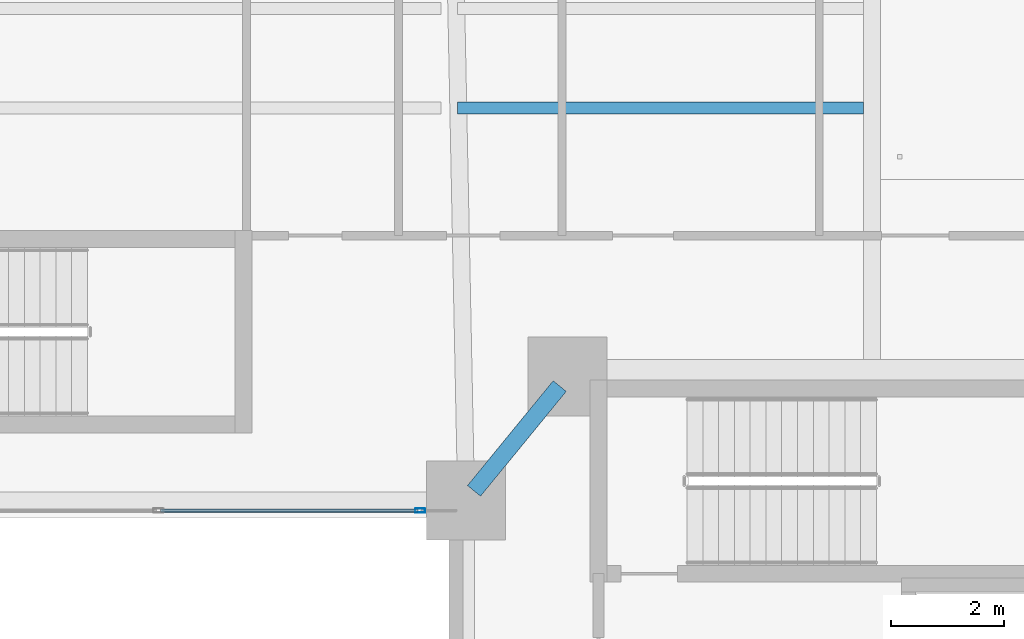
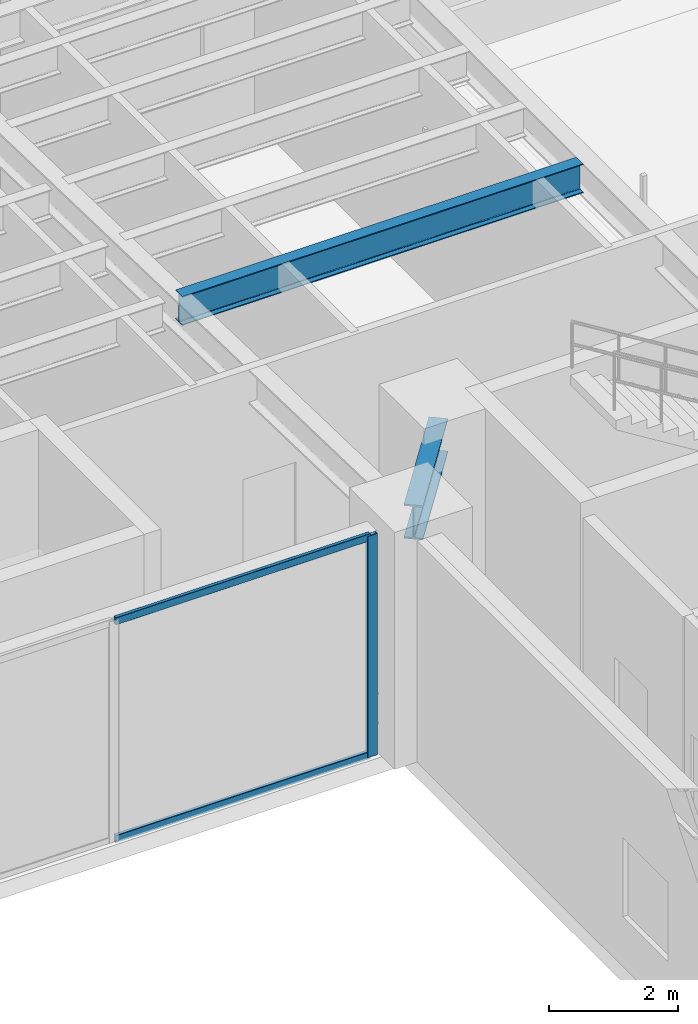
# One storey, part 24 of 40: 3 members, 2 beams, 1 element without a shape of its own.
"""IFC4 building model written with IfcOpenShell, lengths in metres."""

from ifc_helpers import new_model, si_unit, direction, frame, origin, origin_2d, place, context, subcontext, project, spatial, hollow_rectangle, i_section, extrude, material, layer, layer_set, material_profile, profile_set, type_object, element, aggregate, save


model = new_model("IFC4")

# Units and contexts
model_context = context("Model", 3, precision=1e-05, world=origin(), true_north=direction((0.0, 1.0)))
body_context = subcontext(model_context, "Body", "Model", "MODEL_VIEW")
ifc_project = project(units=[si_unit("LENGTHUNIT", "METRE"), si_unit("AREAUNIT", "SQUARE_METRE"), si_unit("VOLUMEUNIT", "CUBIC_METRE"), si_unit("PLANEANGLEUNIT", "RADIAN"), si_unit("MASSUNIT", "GRAM", prefix="KILO")], contexts=[model_context])

# Site, building, storey
site_placement = place(None, origin())
site = spatial("IfcSite", under=ifc_project, at=site_placement, CompositionType="ELEMENT")
building_placement = place(site_placement, origin())
building = spatial("IfcBuilding", under=site, at=building_placement, Name="Tarnavaz Court Tower", CompositionType="ELEMENT")
storey_placement = place(building_placement, frame((0.0, 0.0, 64.199951171875)))
storey = spatial("IfcBuildingStorey", under=building, at=storey_placement, Name="L17", CompositionType="ELEMENT", Elevation=64.199951171875)

# Beams
ifc_material_1 = material(Name="Steel S355", Category="steel")
ifc_material_profile_1 = material_profile(ifc_material_1, i_section(OverallWidth=0.300048828125, OverallDepth=0.64990234375, WebThickness=0.01611328125, FlangeThickness=0.031005859375, FilletRadius=0.027099609375, at=origin_2d()), Name="HEB 650")
ifc_profile_set_1 = profile_set([ifc_material_profile_1], Name="Steel S355")
beam_type_1 = type_object("IfcBeamType", Name="BM-G-HEB650", PredefinedType="USERDEFINED", material=ifc_profile_set_1)
beam_1_placement = place(storey_placement, frame((9.460693359375, 9.82958984375, 3.875), z_axis=(-0.633282058357, -0.773921077735, 0.0), x_axis=(0.773921077735, -0.633282058357, 0.0)))
element("IfcBeam", 1, at=beam_1_placement, inside=storey, type_object=beam_type_1, Name="L17 Beam IN-CE-NI-IW-NE", ObjectType="GIRDER", PredefinedType="USERDEFINED", context=body_context, shape_type="SweptSolid", body=[
    extrude(i_section(OverallWidth=0.300048828125, OverallDepth=0.64990234375, WebThickness=0.01611328125, FlangeThickness=0.031005859375, FilletRadius=0.027099609375, at=origin_2d()), origin(), (0.0, 0.0, 1.0), 2.402587890625),
])
ifc_material_profile_2 = material_profile(ifc_material_1, i_section(OverallWidth=0.2099609375, OverallDepth=0.550048828125, WebThickness=0.010986328125, FlangeThickness=0.01708984375, FilletRadius=0.02392578125, at=origin_2d()), Name="IPE 550")
ifc_profile_set_2 = profile_set([ifc_material_profile_2], Name="Steel S355")
beam_type_2 = type_object("IfcBeamType", Name="BM-J-IPE550", PredefinedType="JOIST", material=ifc_profile_set_2)
beam_2_placement = place(storey_placement, frame((7.64990234375, 14.763916015625, 3.925048828125), z_axis=(1.0, 0.0, 0.0), x_axis=(0.0, 1.0, 0.0)))
element("IfcBeam", 2, at=beam_2_placement, inside=storey, type_object=beam_type_2, Name="L17 Beam JN1-3", PredefinedType="JOIST", context=body_context, shape_type="SweptSolid", body=[
    extrude(i_section(OverallWidth=0.2099609375, OverallDepth=0.550048828125, WebThickness=0.010986328125, FlangeThickness=0.01708984375, FilletRadius=0.02392578125, at=origin_2d()), origin(), (0.0, 0.0, 1.0), 7.2001953125),
])

# Curtain wall, members
ifc_material_2 = material(Name="Anodised Aluminium 6063-T6 and Solar Low-E Glazing", Category="aluminium")
ifc_layer = layer(ifc_material_2, 0.139892578125)
ifc_layer_set = layer_set([ifc_layer], Name="Anodised Aluminium 6063-T6 and Solar Low-E Glazing")
curtain_wall_type = type_object("IfcCurtainWallType", Name="CW-SYS-04", PredefinedType="NOTDEFINED", material=ifc_layer_set)
curtain_wall_placement = place(storey_placement, origin())
curtain_wall = element("IfcCurtainWall", 3, at=curtain_wall_placement, inside=storey, type_object=curtain_wall_type, Name="L17 Badgir Courtyard Curtain Wall N", PredefinedType="NOTDEFINED")
ifc_material_3 = material(Name="Anodised Aluminium 6063-T6", Category="aluminium")
ifc_material_profile_3 = material_profile(ifc_material_3, hollow_rectangle(XDim=0.074951171875, YDim=0.179931640625, WallThickness=0.0048828125, InnerFilletRadius=0.0048828125, OuterFilletRadius=0.010009765625, at=origin_2d()), Name="ALU RHS 180X75X5")
ifc_profile_set_3 = profile_set([ifc_material_profile_3], Name="Anodised Aluminium 6063-T6")
member_type_1 = type_object("IfcMemberType", Name="CW-MUL-180", PredefinedType="MULLION", material=ifc_profile_set_3)
member_1_placement = place(storey_placement, frame((6.982421875, 7.6201171875, 0.0), z_axis=(0.0, 0.0, 1.0), x_axis=(0.0, -1.0, 0.0)))
member_1 = element("IfcMember", 4, at=member_1_placement, type_object=member_type_1, Name="CW mullion 1", PredefinedType="MULLION", context=body_context, shape_type="SweptSolid", body=[
    extrude(hollow_rectangle(XDim=0.074951171875, YDim=0.179931640625, WallThickness=0.0048828125, InnerFilletRadius=0.0048828125, OuterFilletRadius=0.010009765625, at=origin_2d()), origin(), (0.0, 0.0, 1.0), 4.199951171875),
])
ifc_material_profile_4 = material_profile(ifc_material_3, hollow_rectangle(XDim=0.06494140625, YDim=0.139892578125, WallThickness=0.00390625, InnerFilletRadius=0.00390625, OuterFilletRadius=0.008056640625, at=origin_2d()), Name="ALU RHS 140X65X4")
ifc_profile_set_4 = profile_set([ifc_material_profile_4], Name="Anodised Aluminium 6063-T6")
member_type_2 = type_object("IfcMemberType", Name="CW-TRN-140", PredefinedType="USERDEFINED", material=ifc_profile_set_4)
member_2_placement = place(storey_placement, frame((6.945068359375, 7.6201171875, 0.032470703125), z_axis=(-1.0, 0.0, 0.0), x_axis=(0.0, -1.0, 0.0)))
member_2 = element("IfcMember", 5, at=member_2_placement, type_object=member_type_2, Name="CW transom 1.1", ObjectType="TRANSOM", PredefinedType="USERDEFINED", context=body_context, shape_type="SweptSolid", body=[
    extrude(hollow_rectangle(XDim=0.06494140625, YDim=0.139892578125, WallThickness=0.00390625, InnerFilletRadius=0.00390625, OuterFilletRadius=0.008056640625, at=origin_2d()), origin(), (0.0, 0.0, 1.0), 4.567626953125),
])
member_3_placement = place(storey_placement, frame((6.945068359375, 7.6201171875, 4.16748046875), z_axis=(-1.0, 0.0, 0.0), x_axis=(0.0, -1.0, 0.0)))
member_3 = element("IfcMember", 6, at=member_3_placement, type_object=member_type_2, Name="CW transom 1.2", ObjectType="TRANSOM", PredefinedType="USERDEFINED", context=body_context, shape_type="SweptSolid", body=[
    extrude(hollow_rectangle(XDim=0.06494140625, YDim=0.139892578125, WallThickness=0.00390625, InnerFilletRadius=0.00390625, OuterFilletRadius=0.008056640625, at=origin_2d()), origin(), (0.0, 0.0, 1.0), 4.567626953125),
])
aggregate(curtain_wall, [member_1, member_2, member_3])

save(model, "model.ifc")
